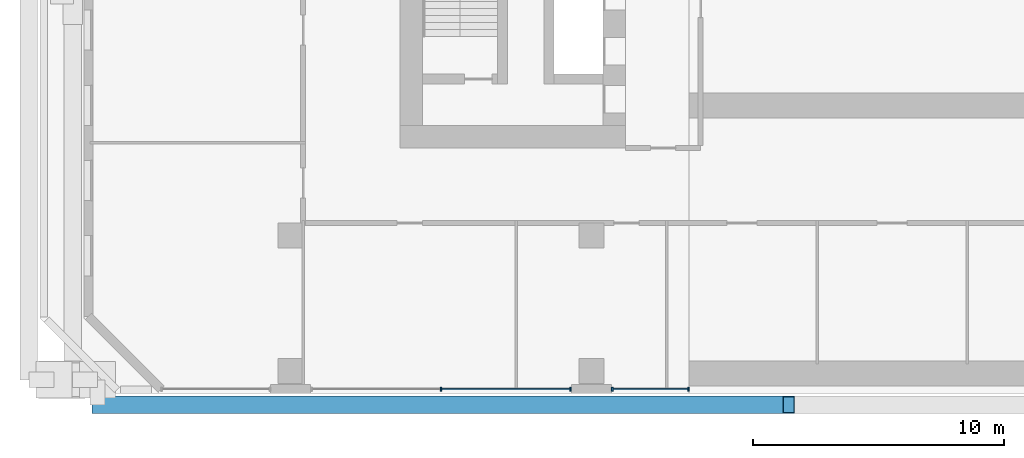
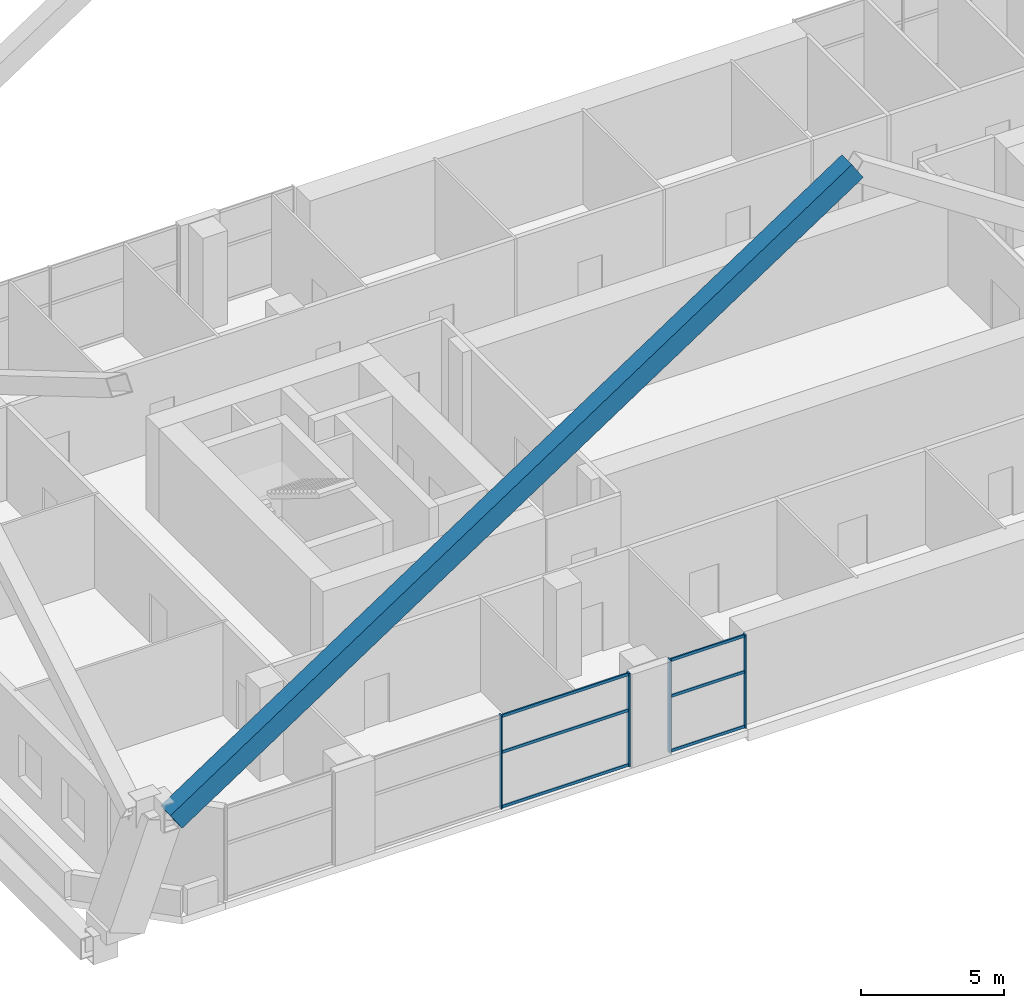
# One storey, part 3 of 25: 11 members, 2 elements without a shape of their own.
"""IFC4 building model written with IfcOpenShell, lengths in metres."""

from ifc_helpers import new_model, si_unit, direction, frame, origin, origin_2d, place, context, subcontext, project, spatial, rectangle, hollow_rectangle, extrude, material, material_profile, profile_set, type_object, element, aggregate, save


model = new_model("IFC4")

# Units and contexts
model_context = context("Model", 3, precision=1e-05, world=origin(), true_north=direction((0.0, 1.0)))
body_context = subcontext(model_context, "Body", "Model", "MODEL_VIEW")
ifc_project = project(units=[si_unit("LENGTHUNIT", "METRE"), si_unit("AREAUNIT", "SQUARE_METRE"), si_unit("VOLUMEUNIT", "CUBIC_METRE"), si_unit("PLANEANGLEUNIT", "RADIAN"), si_unit("MASSUNIT", "GRAM", prefix="KILO")], contexts=[model_context])

# Site, building, storey
site_placement = place(None, origin())
site = spatial("IfcSite", under=ifc_project, at=site_placement, CompositionType="ELEMENT")
building_placement = place(site_placement, origin())
building = spatial("IfcBuilding", under=site, at=building_placement, Name="Tuart Gate Housing", CompositionType="ELEMENT")
storey_placement = place(building_placement, frame((0.0, 0.0, 14.699951171875)))
storey = spatial("IfcBuildingStorey", under=building, at=storey_placement, Name="L03", CompositionType="ELEMENT", Elevation=14.699951171875)

# Member
ifc_material_1 = material(Name="Steel Grade 350", Category="steel")
ifc_material_profile_1 = material_profile(ifc_material_1, hollow_rectangle(XDim=0.699951171875, YDim=0.85009765625, WallThickness=0.0419921875, at=origin_2d()), Name="BOX 850x700x42")
ifc_profile_set_1 = profile_set([ifc_material_profile_1], Name="Steel Grade 350")
member_type_1 = type_object("IfcMemberType", Name="Mega brace BOX 850x700x42", PredefinedType="BRACE", material=ifc_profile_set_1)
member_1_placement = place(storey_placement, frame((20.300048828125, 53.550048828125, 4.800048828125), z_axis=(0.83460268013, 0.0, 0.550852399759), x_axis=(0.0, 1.0, 0.0)))
element("IfcMember", 1, at=member_1_placement, inside=storey, type_object=member_type_1, Name="Mega brace A zone 1 south chevron 1", PredefinedType="BRACE", context=body_context, shape_type="SweptSolid", body=[
    extrude(hollow_rectangle(XDim=0.699951171875, YDim=0.85009765625, WallThickness=0.0419921875, at=origin_2d()), origin(), (0.0, 0.0, 1.0), 33.03955078125),
])

# Curtain wall, members
ifc_material_2 = material(Name="Aluminium and clear glass", Category="aluminium")
curtain_wall_type = type_object("IfcCurtainWallType", Name="Community floor glazing", PredefinedType="USERDEFINED", material=ifc_material_2)
curtain_wall_1_placement = place(storey_placement, origin())
curtain_wall_1 = element("IfcCurtainWall", 2, at=curtain_wall_1_placement, inside=storey, type_object=curtain_wall_type, Name="Community floor glazing A-S L03", ObjectType="COMMUNITY FLOOR GLAZING", PredefinedType="USERDEFINED")
ifc_material_3 = material(Name="Anodised aluminium", Category="aluminium")
ifc_material_profile_2 = material_profile(ifc_material_3, rectangle(XDim=0.06005859375, YDim=0.159912109375, at=origin_2d()), Name="60x160")
ifc_profile_set_2 = profile_set([ifc_material_profile_2], Name="Anodised aluminium")
member_type_2 = type_object("IfcMemberType", Name="Mullion 60 x 160", PredefinedType="MULLION", material=ifc_profile_set_2)
member_2_placement = place(storey_placement, frame((34.0, 54.179931640625, 0.0), z_axis=(0.0, 0.0, 1.0), x_axis=(1.0, 0.0, 0.0)))
member_2 = element("IfcMember", 3, at=member_2_placement, type_object=member_type_2, Name="CW3 mullion 2", PredefinedType="MULLION", context=body_context, shape_type="SweptSolid", body=[
    extrude(rectangle(XDim=0.06005859375, YDim=0.159912109375, at=origin_2d()), origin(), (0.0, 0.0, 1.0), 4.0),
])
member_3_placement = place(storey_placement, frame((39.169921875, 54.179931640625, 0.0), z_axis=(0.0, 0.0, 1.0), x_axis=(1.0, 0.0, 0.0)))
member_3 = element("IfcMember", 4, at=member_3_placement, type_object=member_type_2, Name="CW3 mullion 3", PredefinedType="MULLION", context=body_context, shape_type="SweptSolid", body=[
    extrude(rectangle(XDim=0.06005859375, YDim=0.159912109375, at=origin_2d()), origin(), (0.0, 0.0, 1.0), 4.0),
])

curtain_wall_2_placement = place(storey_placement, origin())
curtain_wall_2 = element("IfcCurtainWall", 5, at=curtain_wall_2_placement, inside=storey, type_object=curtain_wall_type, Name="Community floor glazing A-S L03", ObjectType="COMMUNITY FLOOR GLAZING", PredefinedType="USERDEFINED")
member_4_placement = place(storey_placement, frame((40.830078125, 54.179931640625, 0.0), z_axis=(0.0, 0.0, 1.0), x_axis=(1.0, 0.0, 0.0)))
member_4 = element("IfcMember", 6, at=member_4_placement, type_object=member_type_2, Name="CW3 mullion 1", PredefinedType="MULLION", context=body_context, shape_type="SweptSolid", body=[
    extrude(rectangle(XDim=0.06005859375, YDim=0.159912109375, at=origin_2d()), origin(), (0.0, 0.0, 1.0), 4.0),
])
member_5_placement = place(storey_placement, frame((43.8701171875, 54.179931640625, 0.0), z_axis=(0.0, 0.0, 1.0), x_axis=(1.0, 0.0, 0.0)))
member_5 = element("IfcMember", 7, at=member_5_placement, type_object=member_type_2, Name="CW3 mullion 2", PredefinedType="MULLION", context=body_context, shape_type="SweptSolid", body=[
    extrude(rectangle(XDim=0.06005859375, YDim=0.159912109375, at=origin_2d()), origin(), (0.0, 0.0, 1.0), 4.0),
])

# Member
ifc_material_4 = material(Name="Anodised aluminium", Category="aluminium")
ifc_material_profile_3 = material_profile(ifc_material_4, rectangle(XDim=0.06005859375, YDim=0.1201171875, at=origin_2d()), Name="60x120")
ifc_profile_set_3 = profile_set([ifc_material_profile_3], Name="Anodised aluminium")
member_type_3 = type_object("IfcMemberType", Name="Transom 60 x 120", PredefinedType="USERDEFINED", material=ifc_profile_set_3)
member_6_placement = place(storey_placement, frame((34.030029296875, 54.179931640625, 0.06005859375), z_axis=(1.0, 0.0, 0.0), x_axis=(0.0, 1.0, 0.0)))
member_6 = element("IfcMember", 8, at=member_6_placement, type_object=member_type_3, Name="CW3 transom 2.1", ObjectType="TRANSOM", PredefinedType="USERDEFINED", context=body_context, shape_type="SweptSolid", body=[
    extrude(rectangle(XDim=0.06005859375, YDim=0.1201171875, at=origin_2d()), origin(), (0.0, 0.0, 1.0), 5.10986328125),
])

member_7_placement = place(storey_placement, frame((34.030029296875, 54.179931640625, 2.400146484375), z_axis=(1.0, 0.0, 0.0), x_axis=(0.0, 1.0, 0.0)))
member_7 = element("IfcMember", 9, at=member_7_placement, type_object=member_type_3, Name="CW3 transom 2.2", ObjectType="TRANSOM", PredefinedType="USERDEFINED", context=body_context, shape_type="SweptSolid", body=[
    extrude(rectangle(XDim=0.06005859375, YDim=0.1201171875, at=origin_2d()), origin(), (0.0, 0.0, 1.0), 5.10986328125),
])

member_8_placement = place(storey_placement, frame((34.030029296875, 54.179931640625, 3.93994140625), z_axis=(1.0, 0.0, 0.0), x_axis=(0.0, 1.0, 0.0)))
member_8 = element("IfcMember", 10, at=member_8_placement, type_object=member_type_3, Name="CW3 transom 2.3", ObjectType="TRANSOM", PredefinedType="USERDEFINED", context=body_context, shape_type="SweptSolid", body=[
    extrude(rectangle(XDim=0.06005859375, YDim=0.1201171875, at=origin_2d()), origin(), (0.0, 0.0, 1.0), 5.10986328125),
])

aggregate(curtain_wall_1, [member_2, member_3, member_6, member_7, member_8])

member_9_placement = place(storey_placement, frame((40.860107421875, 54.179931640625, 0.06005859375), z_axis=(1.0, 0.0, 0.0), x_axis=(0.0, 1.0, 0.0)))
member_9 = element("IfcMember", 11, at=member_9_placement, type_object=member_type_3, Name="CW3 transom 1.1", ObjectType="TRANSOM", PredefinedType="USERDEFINED", context=body_context, shape_type="SweptSolid", body=[
    extrude(rectangle(XDim=0.06005859375, YDim=0.1201171875, at=origin_2d()), origin(), (0.0, 0.0, 1.0), 2.97998046875),
])

member_10_placement = place(storey_placement, frame((40.860107421875, 54.179931640625, 2.400146484375), z_axis=(1.0, 0.0, 0.0), x_axis=(0.0, 1.0, 0.0)))
member_10 = element("IfcMember", 12, at=member_10_placement, type_object=member_type_3, Name="CW3 transom 1.2", ObjectType="TRANSOM", PredefinedType="USERDEFINED", context=body_context, shape_type="SweptSolid", body=[
    extrude(rectangle(XDim=0.06005859375, YDim=0.1201171875, at=origin_2d()), origin(), (0.0, 0.0, 1.0), 2.97998046875),
])

member_11_placement = place(storey_placement, frame((40.860107421875, 54.179931640625, 3.93994140625), z_axis=(1.0, 0.0, 0.0), x_axis=(0.0, 1.0, 0.0)))
member_11 = element("IfcMember", 13, at=member_11_placement, type_object=member_type_3, Name="CW3 transom 1.3", ObjectType="TRANSOM", PredefinedType="USERDEFINED", context=body_context, shape_type="SweptSolid", body=[
    extrude(rectangle(XDim=0.06005859375, YDim=0.1201171875, at=origin_2d()), origin(), (0.0, 0.0, 1.0), 2.97998046875),
])

aggregate(curtain_wall_2, [member_4, member_5, member_9, member_10, member_11])

save(model, "model.ifc")
